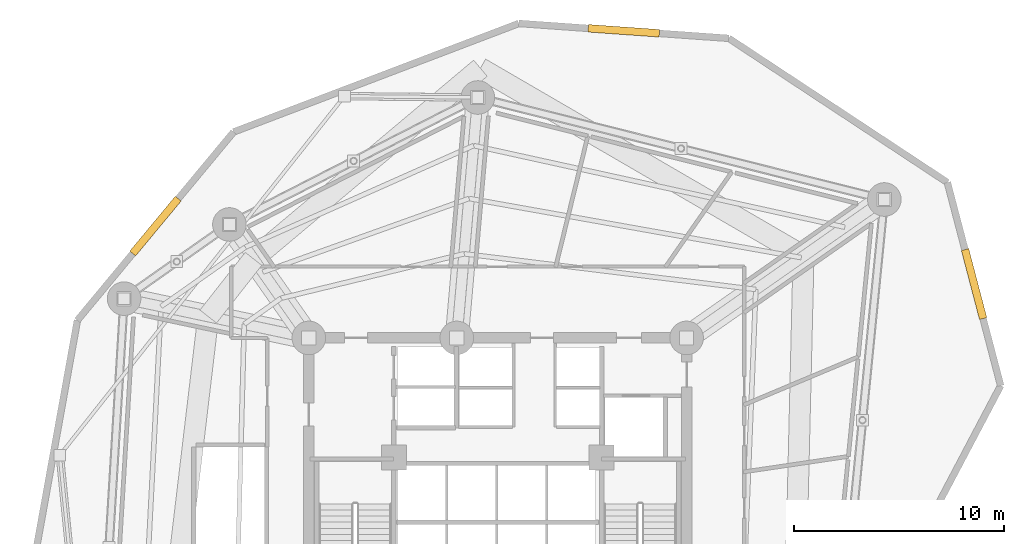
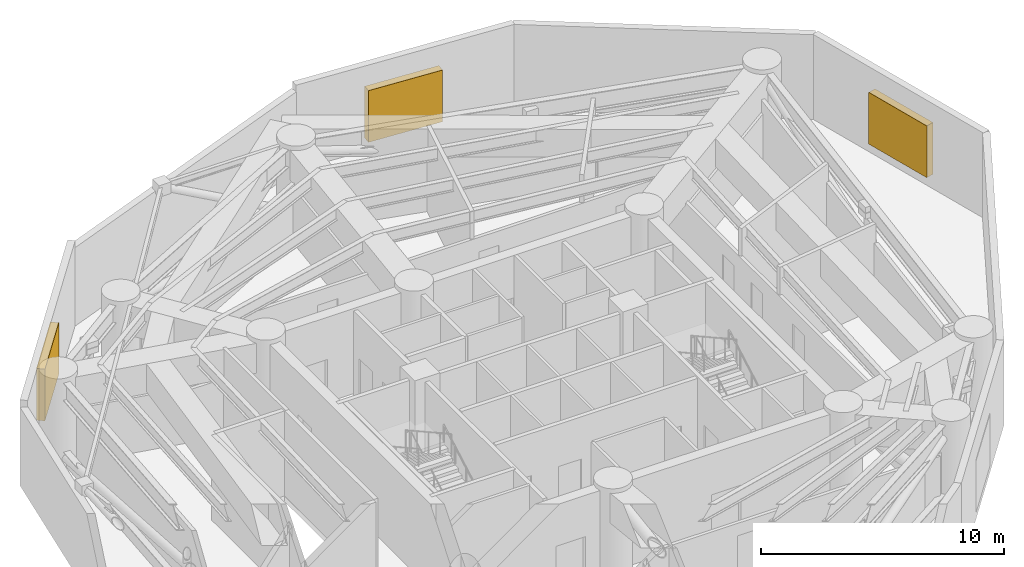
# One storey, part 13 of 13: 3 shading devices.
"""IFC4 building model written with IfcOpenShell, lengths in metres."""

from ifc_helpers import new_model, si_unit, direction, frame, origin, origin_with_axes, origin_2d, place, context, subcontext, project, spatial, rectangle, extrude, source, transform, mapped, material, layer, layer_set, type_object, element, save


model = new_model("IFC4")

# Units and contexts
model_context = context("Model", 3, precision=1e-05, world=origin(), true_north=direction((0.0, 1.0)))
body_context = subcontext(model_context, "Body", "Model", "MODEL_VIEW")
ifc_project = project(units=[si_unit("LENGTHUNIT", "METRE"), si_unit("AREAUNIT", "SQUARE_METRE"), si_unit("VOLUMEUNIT", "CUBIC_METRE"), si_unit("PLANEANGLEUNIT", "RADIAN"), si_unit("MASSUNIT", "GRAM", prefix="KILO")], contexts=[model_context])

# Site, building, storey
site_placement = place(None, origin())
site = spatial("IfcSite", under=ifc_project, at=site_placement, CompositionType="ELEMENT")
building_placement = place(site_placement, origin())
building = spatial("IfcBuilding", under=site, at=building_placement, Name="Karkom Vertical University and Central Library", CompositionType="ELEMENT")
storey_placement = place(building_placement, frame((0.0, 0.0, 87.699951171875)))
storey = spatial("IfcBuildingStorey", under=building, at=storey_placement, Name="P23", CompositionType="ELEMENT", Elevation=87.699951171875)

# Shading devices
ifc_material = material(Name="Powder-coated aluminium acoustic weather louvre", Category="aluminium")
ifc_layer = layer(ifc_material, 0.159912109375)
ifc_layer_set = layer_set([ifc_layer], Name="Powder-coated aluminium acoustic weather louvre")
shading_device_type = type_object("IfcShadingDeviceType", Name="ENV-SHD-LOUVRE", PredefinedType="JALOUSIE", material=ifc_layer_set)
shared_shape = source(origin_with_axes(), body_context, "Body", "SweptSolid", [
    extrude(rectangle(XDim=3.39990234375, YDim=0.360107421875, at=origin_2d()), origin(), (0.0, 0.0, 1.0), 2.60009765625),
])
for number, where, z_axis, x_axis, name in (
    (1, (12.19140625, 40.02978515625, 0.39990234375), (0.0, 0.0, 1.0), (-0.638499207495, -0.769622480199, 0.0), "Plant Level 23 Mechanical Acoustic Louvre 01"),
    (2, (51.19873046875, 37.266357421875, 0.39990234375), (0.0, 0.0, 1.0), (-0.25358912065, 0.96731202716, 0.0), "Plant Level 23 Mechanical Acoustic Louvre 09"),
    (3, (34.505859375, 49.334716796875, 0.39990234375), (0.0, 0.0, 1.0), (-0.997502796416, 0.070626985931, 0.0), "Plant Level 23 Mechanical Acoustic Louvre 11"),
):
    element("IfcShadingDevice", number, at=place(storey_placement, frame(where, z_axis=z_axis, x_axis=x_axis)), inside=storey, type_object=shading_device_type, Name=name, PredefinedType="JALOUSIE", context=body_context, shape_type="MappedRepresentation", body=[
        mapped(shared_shape, transform((0.0, 0.0, 0.0), scale=1.0)),
    ])

save(model, "model.ifc")
